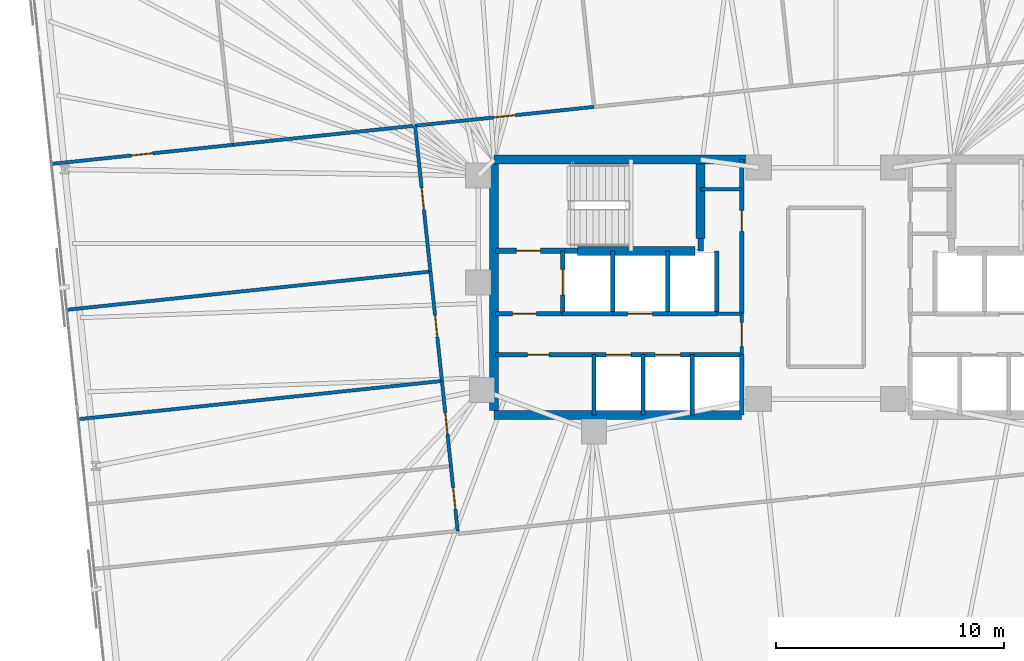
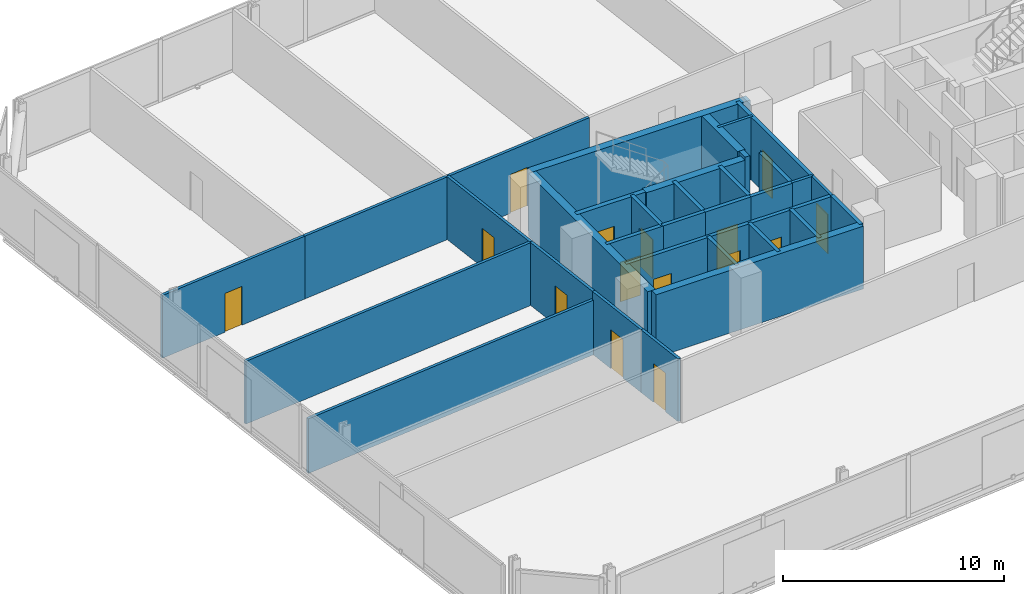
# One storey, part 14 of 18: 33 walls, 15 doors, 15 openings.
"""IFC4 building model written with IfcOpenShell, lengths in metres."""

from ifc_helpers import new_model, si_unit, direction, frame, frame_2d, origin, place, context, subcontext, project, spatial, rectangle, extrude, material, layer, layer_set, type_object, element, fill, save


model = new_model("IFC4")

# Units and contexts
model_context = context("Model", 3, precision=1e-05, world=origin(), true_north=direction((0.0, 1.0)))
body_context = subcontext(model_context, "Body", "Model", "MODEL_VIEW")
ifc_project = project(units=[si_unit("LENGTHUNIT", "METRE"), si_unit("AREAUNIT", "SQUARE_METRE"), si_unit("VOLUMEUNIT", "CUBIC_METRE"), si_unit("PLANEANGLEUNIT", "RADIAN"), si_unit("MASSUNIT", "GRAM", prefix="KILO")], contexts=[model_context])

# Site, building, storey
site_placement = place(None, origin())
site = spatial("IfcSite", under=ifc_project, at=site_placement, CompositionType="ELEMENT")
building_placement = place(site_placement, origin())
building = spatial("IfcBuilding", under=site, at=building_placement, Name="Menara Jurai Vektor", CompositionType="ELEMENT")
storey_placement = place(building_placement, frame((0.0, 0.0, 105.89990234375)))
storey = spatial("IfcBuildingStorey", under=building, at=storey_placement, Name="L26", CompositionType="ELEMENT", Elevation=105.89990234375)

# Wall, opening, door
ifc_material_1 = material(Name="Concrete C40/50", Category="concrete")
ifc_layer_1 = layer(ifc_material_1, 0.25)
ifc_layer_set_1 = layer_set([ifc_layer_1], Name="Concrete C40/50")
wall_type_1 = type_object("IfcWallType", Name="INT-WALL-CORE-250", PredefinedType="STANDARD", material=ifc_layer_set_1)
wall_1_placement = place(storey_placement, frame((-14.5, 1.60009765625, 0.0), z_axis=(0.0, 0.0, 1.0), x_axis=(1.0, 0.0, 0.0)))
wall_1 = element("IfcWall", 1, at=wall_1_placement, inside=storey, type_object=wall_type_1, Name="Interior Wall IW-250 L26", PredefinedType="STANDARD", context=body_context, shape_type="SweptSolid", body=[
    extrude(rectangle(XDim=3.60009765625, YDim=0.25, at=frame_2d((1.800048828125, 0.0))), origin(), (0.0, 0.0, 1.0), 3.47509765625),
])
opening_1_placement = place(wall_1_placement, frame((0.919921875, 0.0, 0.0)))
opening_1 = element("IfcOpeningElement", 2, at=opening_1_placement, cuts=wall_1, Name="Opening D-L26-ST1", PredefinedType="OPENING", context=body_context, shape_type="SweptSolid", body=[
    extrude(rectangle(XDim=1.050048828125, YDim=2.14990234375, at=frame_2d((0.52490234375, 1.074951171875))), frame((0.0, 0.135009765625, 0.0), z_axis=(0.0, -1.0, 0.0), x_axis=(1.0, 0.0, 0.0)), (0.0, 0.0, 1.0), 0.27001953125),
])
ifc_material_2 = material(Name="Fire-Rated Steel Door", Category="steel")
door_type_1 = type_object("IfcDoorType", Name="DR-STAIR-1050", OperationType="NOTDEFINED", PredefinedType="DOOR", material=ifc_material_2)
door_1_placement = place(opening_1_placement, origin())
door_1 = element("IfcDoor", 3, at=door_1_placement, inside=storey, type_object=door_type_1, Name="Exit Stair ST1 Door L26", OperationType="SINGLE_SWING_RIGHT", OverallHeight=2.14990234375, OverallWidth=1.050048828125, PredefinedType="DOOR", context=body_context, shape_type="SweptSolid", body=[
    extrude(rectangle(XDim=1.050048828125, YDim=2.14990234375, at=frame_2d((0.52490234375, 1.074951171875))), frame((0.0, 0.02490234375, 0.0), z_axis=(0.0, -1.0, 0.0), x_axis=(1.0, 0.0, 0.0)), (0.0, 0.0, 1.0), 0.050048828125),
])
fill(opening_1, door_1)

# Wall
wall_2_placement = place(storey_placement, frame((-5.5, 1.60009765625, 0.0), z_axis=(0.0, 0.0, 1.0), x_axis=(0.0, 1.0, 0.0)))
element("IfcWall", 4, at=wall_2_placement, inside=storey, type_object=wall_type_1, Name="Interior Wall IW-250 L26", PredefinedType="STANDARD", context=body_context, shape_type="SweptSolid", body=[
    extrude(rectangle(XDim=0.5498046875, YDim=0.25, at=frame_2d((0.27490234375, 0.0))), origin(), (0.0, 0.0, 1.0), 3.47509765625),
])

# Wall, opening, door
wall_3_placement = place(storey_placement, frame((-11.550048828125, -1.14990234375, 0.0), z_axis=(0.0, 0.0, 1.0), x_axis=(0.0, 1.0, 0.0)))
wall_3 = element("IfcWall", 5, at=wall_3_placement, inside=storey, type_object=wall_type_1, Name="Interior Wall IW-250 L26", PredefinedType="STANDARD", context=body_context, shape_type="SweptSolid", body=[
    extrude(rectangle(XDim=2.75, YDim=0.199951171875, at=frame_2d((1.375, 0.0))), origin(), (0.0, 0.0, 1.0), 3.47509765625),
])
opening_2_placement = place(wall_3_placement, frame((0.824951171875, 0.0, 0.0)))
opening_2 = element("IfcOpeningElement", 6, at=opening_2_placement, cuts=wall_3, Name="Opening LD-L26-FL1", PredefinedType="OPENING", context=body_context, shape_type="SweptSolid", body=[
    extrude(rectangle(XDim=1.10009765625, YDim=2.14990234375, at=frame_2d((0.550048828125, 1.074951171875))), frame((0.0, 0.10986328125, 0.0), z_axis=(0.0, -1.0, 0.0), x_axis=(1.0, 0.0, 0.0)), (0.0, 0.0, 1.0), 0.219970703125),
])
ifc_material_3 = material(Name="Stainless Steel Sliding Lift Landing Door", Category="steel")
door_type_2 = type_object("IfcDoorType", Name="DR-LIFT-FIRE-1100", OperationType="NOTDEFINED", PredefinedType="DOOR", material=ifc_material_3)
door_2_placement = place(opening_2_placement, origin())
door_2 = element("IfcDoor", 7, at=door_2_placement, inside=storey, type_object=door_type_2, Name="Lift Landing Door FL1 L26", OperationType="SLIDING_TO_RIGHT", OverallHeight=2.14990234375, OverallWidth=1.10009765625, PredefinedType="DOOR", context=body_context, shape_type="SweptSolid", body=[
    extrude(rectangle(XDim=1.10009765625, YDim=2.14990234375, at=frame_2d((0.550048828125, 1.074951171875))), frame((0.0, 0.02490234375, 0.0), z_axis=(0.0, -1.0, 0.0), x_axis=(1.0, 0.0, 0.0)), (0.0, 0.0, 1.0), 0.050048828125),
])
fill(opening_2, door_2)

# Wall
wall_4_placement = place(storey_placement, frame((-9.35009765625, -1.14990234375, 0.0), z_axis=(0.0, 0.0, 1.0), x_axis=(0.0, 1.0, 0.0)))
element("IfcWall", 8, at=wall_4_placement, inside=storey, type_object=wall_type_1, Name="Interior Wall IW-250 L26", PredefinedType="STANDARD", context=body_context, shape_type="SweptSolid", body=[
    extrude(rectangle(XDim=2.75, YDim=0.199951171875, at=frame_2d((1.375, 0.0))), origin(), (0.0, 0.0, 1.0), 3.47509765625),
])

# Wall, opening, door
wall_5_placement = place(storey_placement, frame((-14.5, -1.14990234375, 0.0), z_axis=(0.0, 0.0, 1.0), x_axis=(1.0, 0.0, 0.0)))
wall_5 = element("IfcWall", 9, at=wall_5_placement, inside=storey, type_object=wall_type_1, Name="Interior Wall IW-250 L26", PredefinedType="STANDARD", context=body_context, shape_type="SweptSolid", body=[
    extrude(rectangle(XDim=2.949951171875, YDim=0.199951171875, at=frame_2d((1.47509765625, 0.0))), origin(), (0.0, 0.0, 1.0), 3.47509765625),
])
opening_3_placement = place(wall_5_placement, frame((0.75, 0.0, 0.0)))
opening_3 = element("IfcOpeningElement", 10, at=opening_3_placement, cuts=wall_5, Name="Opening D-L26-FFW", PredefinedType="OPENING", context=body_context, shape_type="SweptSolid", body=[
    extrude(rectangle(XDim=1.050048828125, YDim=2.179931640625, at=frame_2d((0.52490234375, 1.08984375))), frame((0.0, 0.10986328125, 0.0), z_axis=(0.0, -1.0, 0.0), x_axis=(1.0, 0.0, 0.0)), (0.0, 0.0, 1.0), 0.219970703125),
])
ifc_material_4 = material(Name="Fire-Rated Timber Door", Category="wood")
door_type_3 = type_object("IfcDoorType", Name="DR-LOBBY-1050", OperationType="NOTDEFINED", PredefinedType="DOOR", material=ifc_material_4)
door_3_placement = place(opening_3_placement, origin())
door_3 = element("IfcDoor", 11, at=door_3_placement, inside=storey, type_object=door_type_3, Name="Fire Lift Lobby Door W L26", OperationType="SINGLE_SWING_RIGHT", OverallHeight=2.179931640625, OverallWidth=1.050048828125, PredefinedType="DOOR", context=body_context, shape_type="SweptSolid", body=[
    extrude(rectangle(XDim=1.050048828125, YDim=2.179931640625, at=frame_2d((0.52490234375, 1.08984375))), frame((0.0, 0.02490234375, 0.0), z_axis=(0.0, -1.0, 0.0), x_axis=(1.0, 0.0, 0.0)), (0.0, 0.0, 1.0), 0.050048828125),
])
fill(opening_3, door_3)

# Wall
wall_6_placement = place(storey_placement, frame((-11.550048828125, -1.14990234375, 0.0), z_axis=(0.0, 0.0, 1.0), x_axis=(1.0, 0.0, 0.0)))
element("IfcWall", 12, at=wall_6_placement, inside=storey, type_object=wall_type_1, Name="Interior Wall IW-250 L26", PredefinedType="STANDARD", context=body_context, shape_type="SweptSolid", body=[
    extrude(rectangle(XDim=2.199951171875, YDim=0.199951171875, at=frame_2d((1.10009765625, 0.0))), origin(), (0.0, 0.0, 1.0), 3.47509765625),
])

# Wall, opening, door
ifc_material_5 = material(Name="Gypsum Fireboard Partition", Category="gypsum")
ifc_layer_2 = layer(ifc_material_5, 0.14990234375)
ifc_layer_set_2 = layer_set([ifc_layer_2], Name="Gypsum Fireboard Partition")
wall_type_2 = type_object("IfcWallType", Name="INT-WALL-CORR-150", PredefinedType="PARTITIONING", material=ifc_layer_set_2)
wall_7_placement = place(storey_placement, frame((-3.699951171875, -2.949951171875, 0.0), z_axis=(0.0, 0.0, 1.0), x_axis=(0.0, 1.0, 0.0)))
wall_7 = element("IfcWall", 13, at=wall_7_placement, inside=storey, type_object=wall_type_2, Name="Interior Wall IW-150 L26", PredefinedType="PARTITIONING", context=body_context, shape_type="SweptSolid", body=[
    extrude(rectangle(XDim=1.800048828125, YDim=0.14990234375, at=frame_2d((0.89990234375, 0.0))), origin(), (0.0, 0.0, 1.0), 3.47509765625),
])
opening_4_placement = place(wall_7_placement, frame((0.35009765625, 0.0, 0.0)))
opening_4 = element("IfcOpeningElement", 14, at=opening_4_placement, cuts=wall_7, Name="Opening D-L26-LLW", PredefinedType="OPENING", context=body_context, shape_type="SweptSolid", body=[
    extrude(rectangle(XDim=1.050048828125, YDim=2.179931640625, at=frame_2d((0.52490234375, 1.08984375))), frame((0.0, 0.0849609375, 0.0), z_axis=(0.0, -1.0, 0.0), x_axis=(1.0, 0.0, 0.0)), (0.0, 0.0, 1.0), 0.169921875),
])
door_4_placement = place(opening_4_placement, origin())
door_4 = element("IfcDoor", 15, at=door_4_placement, inside=storey, type_object=door_type_3, Name="Lift Lobby Corridor Door W L26", OperationType="SINGLE_SWING_LEFT", OverallHeight=2.179931640625, OverallWidth=1.050048828125, PredefinedType="DOOR", context=body_context, shape_type="SweptSolid", body=[
    extrude(rectangle(XDim=1.050048828125, YDim=2.179931640625, at=frame_2d((0.52490234375, 1.08984375))), frame((0.0, 0.02490234375, 0.0), z_axis=(0.0, -1.0, 0.0), x_axis=(1.0, 0.0, 0.0)), (0.0, 0.0, 1.0), 0.050048828125),
])
fill(opening_4, door_4)

# Walls
wall_8_placement = place(storey_placement, frame((-4.7900390625, -1.14990234375, 0.0), z_axis=(0.0, 0.0, 1.0), x_axis=(1.0, 0.0, 0.0)))
element("IfcWall", 16, at=wall_8_placement, inside=storey, type_object=wall_type_2, Name="Interior Wall IW-150 L26", PredefinedType="PARTITIONING", context=body_context, shape_type="SweptSolid", body=[
    extrude(rectangle(XDim=1.090087890625, YDim=0.14990234375, at=frame_2d((0.544921875, 0.0))), origin(), (0.0, 0.0, 1.0), 3.47509765625),
])
wall_9_placement = place(storey_placement, frame((-5.5, 4.300048828125, 0.0), z_axis=(0.0, 0.0, 1.0), x_axis=(1.0, 0.0, 0.0)))
element("IfcWall", 17, at=wall_9_placement, inside=storey, type_object=wall_type_2, Name="Interior Wall IW-150 L26", PredefinedType="PARTITIONING", context=body_context, shape_type="SweptSolid", body=[
    extrude(rectangle(XDim=1.800048828125, YDim=0.14990234375, at=frame_2d((0.89990234375, 0.0))), origin(), (0.0, 0.0, 1.0), 3.47509765625),
])

# Wall, opening, door
wall_10_placement = place(storey_placement, frame((-18.021240234375, 7.09033203125, 0.0), z_axis=(0.0, 0.0, 1.0), x_axis=(0.994521544681, 0.104531799785, 0.0)))
wall_10 = element("IfcWall", 18, at=wall_10_placement, inside=storey, type_object=wall_type_2, Name="Interior Wall IW-150 L26", PredefinedType="PARTITIONING", context=body_context, shape_type="SweptSolid", body=[
    extrude(rectangle(XDim=7.891845703125, YDim=0.14990234375, at=frame_2d((3.94580078125, 0.0))), origin(), (0.0, 0.0, 1.0), 3.47509765625),
])
opening_5_placement = place(wall_10_placement, frame((3.470947265625, 0.0, 0.0)))
opening_5 = element("IfcOpeningElement", 19, at=opening_5_placement, cuts=wall_10, Name="Opening D26-07", PredefinedType="OPENING", context=body_context, shape_type="SweptSolid", body=[
    extrude(rectangle(XDim=0.949951171875, YDim=2.14990234375, at=frame_2d((0.47509765625, 1.074951171875))), frame((0.0, 0.0849609375, 0.0), z_axis=(0.0, -1.0, 0.0), x_axis=(1.0, 0.0, 0.0)), (0.0, 0.0, 1.0), 0.169921875),
])
ifc_material_6 = material(Name="Solid Core Timber Fire Door", Category="wood")
door_type_4 = type_object("IfcDoorType", Name="DR-ENTRY-950", OperationType="NOTDEFINED", PredefinedType="DOOR", material=ifc_material_6)
door_5_placement = place(opening_5_placement, origin())
door_5 = element("IfcDoor", 20, at=door_5_placement, inside=storey, type_object=door_type_4, Name="Interior Door D26-07", OperationType="SINGLE_SWING_RIGHT", OverallHeight=2.14990234375, OverallWidth=0.949951171875, PredefinedType="DOOR", context=body_context, shape_type="SweptSolid", body=[
    extrude(rectangle(XDim=0.949951171875, YDim=2.14990234375, at=frame_2d((0.47509765625, 1.074951171875))), frame((0.0, 0.02490234375, 0.0), z_axis=(0.0, -1.0, 0.0), x_axis=(1.0, 0.0, 0.0)), (0.0, 0.0, 1.0), 0.050048828125),
])
fill(opening_5, door_5)

wall_11_placement = place(storey_placement, frame((-16.1533203125, -10.681884765625, 0.0), z_axis=(0.0, 0.0, 1.0), x_axis=(-0.104600331874, 0.994514339048, 0.0)))
wall_11 = element("IfcWall", 21, at=wall_11_placement, inside=storey, type_object=wall_type_2, Name="Interior Wall IW-150 L26", PredefinedType="PARTITIONING", context=body_context, shape_type="SweptSolid", body=[
    extrude(rectangle(XDim=2.859130859375, YDim=0.14990234375, at=frame_2d((1.4296875, 0.0))), origin(), (0.0, 0.0, 1.0), 3.47509765625),
])
opening_6_placement = place(wall_11_placement, frame((0.95458984375, 0.0, 0.0)))
opening_6 = element("IfcOpeningElement", 22, at=opening_6_placement, cuts=wall_11, Name="Opening D26-13", PredefinedType="OPENING", context=body_context, shape_type="SweptSolid", body=[
    extrude(rectangle(XDim=0.949951171875, YDim=2.14990234375, at=frame_2d((0.47509765625, 1.074951171875))), frame((0.0, 0.0849609375, 0.0), z_axis=(0.0, -1.0, 0.0), x_axis=(1.0, 0.0, 0.0)), (0.0, 0.0, 1.0), 0.169921875),
])
door_6_placement = place(opening_6_placement, origin())
door_6 = element("IfcDoor", 23, at=door_6_placement, inside=storey, type_object=door_type_4, Name="Interior Door D26-13", OperationType="SINGLE_SWING_RIGHT", OverallHeight=2.14990234375, OverallWidth=0.949951171875, PredefinedType="DOOR", context=body_context, shape_type="SweptSolid", body=[
    extrude(rectangle(XDim=0.949951171875, YDim=2.14990234375, at=frame_2d((0.47509765625, 1.074951171875))), frame((0.0, 0.02490234375, 0.0), z_axis=(0.0, -1.0, 0.0), x_axis=(1.0, 0.0, 0.0)), (0.0, 0.0, 1.0), 0.050048828125),
])
fill(opening_6, door_6)

wall_12_placement = place(storey_placement, frame((-16.452392578125, -7.83837890625, 0.0), z_axis=(0.0, 0.0, 1.0), x_axis=(-0.104481590513, 0.994526820777, 0.0)))
wall_12 = element("IfcWall", 24, at=wall_12_placement, inside=storey, type_object=wall_type_2, Name="Interior Wall IW-150 L26", PredefinedType="PARTITIONING", context=body_context, shape_type="SweptSolid", body=[
    extrude(rectangle(XDim=3.752685546875, YDim=0.14990234375, at=frame_2d((1.87646484375, 0.0))), origin(), (0.0, 0.0, 1.0), 3.47509765625),
])
opening_7_placement = place(wall_12_placement, frame((1.401611328125, 0.0, 0.0)))
opening_7 = element("IfcOpeningElement", 25, at=opening_7_placement, cuts=wall_12, Name="Opening D26-14", PredefinedType="OPENING", context=body_context, shape_type="SweptSolid", body=[
    extrude(rectangle(XDim=0.949951171875, YDim=2.14990234375, at=frame_2d((0.47509765625, 1.074951171875))), frame((0.0, 0.0849609375, 0.0), z_axis=(0.0, -1.0, 0.0), x_axis=(1.0, 0.0, 0.0)), (0.0, 0.0, 1.0), 0.169921875),
])
door_7_placement = place(opening_7_placement, origin())
door_7 = element("IfcDoor", 26, at=door_7_placement, inside=storey, type_object=door_type_4, Name="Interior Door D26-14", OperationType="SINGLE_SWING_LEFT", OverallHeight=2.14990234375, OverallWidth=0.949951171875, PredefinedType="DOOR", context=body_context, shape_type="SweptSolid", body=[
    extrude(rectangle(XDim=0.949951171875, YDim=2.14990234375, at=frame_2d((0.47509765625, 1.074951171875))), frame((0.0, 0.02490234375, 0.0), z_axis=(0.0, -1.0, 0.0), x_axis=(1.0, 0.0, 0.0)), (0.0, 0.0, 1.0), 0.050048828125),
])
fill(opening_7, door_7)

wall_13_placement = place(storey_placement, frame((-16.844482421875, -4.106201171875, 0.0), z_axis=(0.0, 0.0, 1.0), x_axis=(-0.104537284168, 0.994520968215, 0.0)))
wall_13 = element("IfcWall", 27, at=wall_13_placement, inside=storey, type_object=wall_type_2, Name="Interior Wall IW-150 L26", PredefinedType="PARTITIONING", context=body_context, shape_type="SweptSolid", body=[
    extrude(rectangle(XDim=4.824951171875, YDim=0.14990234375, at=frame_2d((2.41259765625, 0.0))), origin(), (0.0, 0.0, 1.0), 3.47509765625),
])
opening_8_placement = place(wall_13_placement, frame((1.9375, 0.0, 0.0)))
opening_8 = element("IfcOpeningElement", 28, at=opening_8_placement, cuts=wall_13, Name="Opening D26-15", PredefinedType="OPENING", context=body_context, shape_type="SweptSolid", body=[
    extrude(rectangle(XDim=0.949951171875, YDim=2.14990234375, at=frame_2d((0.47509765625, 1.074951171875))), frame((0.0, 0.0849609375, 0.0), z_axis=(0.0, -1.0, 0.0), x_axis=(1.0, 0.0, 0.0)), (0.0, 0.0, 1.0), 0.169921875),
])
door_8_placement = place(opening_8_placement, origin())
door_8 = element("IfcDoor", 29, at=door_8_placement, inside=storey, type_object=door_type_4, Name="Interior Door D26-15", OperationType="SINGLE_SWING_RIGHT", OverallHeight=2.14990234375, OverallWidth=0.949951171875, PredefinedType="DOOR", context=body_context, shape_type="SweptSolid", body=[
    extrude(rectangle(XDim=0.949951171875, YDim=2.14990234375, at=frame_2d((0.47509765625, 1.074951171875))), frame((0.0, 0.02490234375, 0.0), z_axis=(0.0, -1.0, 0.0), x_axis=(1.0, 0.0, 0.0)), (0.0, 0.0, 1.0), 0.050048828125),
])
fill(opening_8, door_8)

wall_14_placement = place(storey_placement, frame((-17.348876953125, 0.6923828125, 0.0), z_axis=(0.0, 0.0, 1.0), x_axis=(-0.104514890797, 0.994523321799, 0.0)))
wall_14 = element("IfcWall", 30, at=wall_14_placement, inside=storey, type_object=wall_type_2, Name="Interior Wall IW-150 L26", PredefinedType="PARTITIONING", context=body_context, shape_type="SweptSolid", body=[
    extrude(rectangle(XDim=6.43310546875, YDim=0.14990234375, at=frame_2d((3.216552734375, 0.0))), origin(), (0.0, 0.0, 1.0), 3.47509765625),
])
opening_9_placement = place(wall_14_placement, frame((2.741455078125, 0.0, 0.0)))
opening_9 = element("IfcOpeningElement", 31, at=opening_9_placement, cuts=wall_14, Name="Opening D26-16", PredefinedType="OPENING", context=body_context, shape_type="SweptSolid", body=[
    extrude(rectangle(XDim=0.949951171875, YDim=2.14990234375, at=frame_2d((0.47509765625, 1.074951171875))), frame((0.0, 0.0849609375, 0.0), z_axis=(0.0, -1.0, 0.0), x_axis=(1.0, 0.0, 0.0)), (0.0, 0.0, 1.0), 0.169921875),
])
door_9_placement = place(opening_9_placement, origin())
door_9 = element("IfcDoor", 32, at=door_9_placement, inside=storey, type_object=door_type_4, Name="Interior Door D26-16", OperationType="SINGLE_SWING_LEFT", OverallHeight=2.14990234375, OverallWidth=0.949951171875, PredefinedType="DOOR", context=body_context, shape_type="SweptSolid", body=[
    extrude(rectangle(XDim=0.949951171875, YDim=2.14990234375, at=frame_2d((0.47509765625, 1.074951171875))), frame((0.0, 0.02490234375, 0.0), z_axis=(0.0, -1.0, 0.0), x_axis=(1.0, 0.0, 0.0)), (0.0, 0.0, 1.0), 0.050048828125),
])
fill(opening_9, door_9)

wall_15_placement = place(storey_placement, frame((-33.966552734375, 5.414306640625, 0.0), z_axis=(0.0, 0.0, 1.0), x_axis=(0.994520371826, 0.104542957792, 0.0)))
wall_15 = element("IfcWall", 33, at=wall_15_placement, inside=storey, type_object=wall_type_2, Name="Interior Wall IW-150 L26", PredefinedType="PARTITIONING", context=body_context, shape_type="SweptSolid", body=[
    extrude(rectangle(XDim=7.97509765625, YDim=0.14990234375, at=frame_2d((3.987548828125, 0.0))), origin(), (0.0, 0.0, 1.0), 3.47509765625),
])
opening_10_placement = place(wall_15_placement, frame((3.512451171875, 0.0, 0.0)))
opening_10 = element("IfcOpeningElement", 34, at=opening_10_placement, cuts=wall_15, Name="Opening D26-19", PredefinedType="OPENING", context=body_context, shape_type="SweptSolid", body=[
    extrude(rectangle(XDim=0.949951171875, YDim=2.14990234375, at=frame_2d((0.47509765625, 1.074951171875))), frame((0.0, 0.0849609375, 0.0), z_axis=(0.0, -1.0, 0.0), x_axis=(1.0, 0.0, 0.0)), (0.0, 0.0, 1.0), 0.169921875),
])
door_10_placement = place(opening_10_placement, origin())
door_10 = element("IfcDoor", 35, at=door_10_placement, inside=storey, type_object=door_type_4, Name="Interior Door D26-19", OperationType="SINGLE_SWING_RIGHT", OverallHeight=2.14990234375, OverallWidth=0.949951171875, PredefinedType="DOOR", context=body_context, shape_type="SweptSolid", body=[
    extrude(rectangle(XDim=0.949951171875, YDim=2.14990234375, at=frame_2d((0.47509765625, 1.074951171875))), frame((0.0, 0.02490234375, 0.0), z_axis=(0.0, -1.0, 0.0), x_axis=(1.0, 0.0, 0.0)), (0.0, 0.0, 1.0), 0.050048828125),
])
fill(opening_10, door_10)

# Walls
wall_16_placement = place(storey_placement, frame((-26.03515625, 6.248046875, 0.0), z_axis=(0.0, 0.0, 1.0), x_axis=(0.994523219801, 0.104515861368, 0.0)))
element("IfcWall", 36, at=wall_16_placement, inside=storey, type_object=wall_type_2, Name="Interior Wall IW-150 L26", PredefinedType="PARTITIONING", context=body_context, shape_type="SweptSolid", body=[
    extrude(rectangle(XDim=7.974853515625, YDim=0.14990234375, at=frame_2d((3.9873046875, 0.0))), origin(), (0.0, 0.0, 1.0), 3.47509765625),
])
wall_17_placement = place(storey_placement, frame((-33.294189453125, -0.9833984375, 0.0), z_axis=(0.0, 0.0, 1.0), x_axis=(0.994522794159, 0.104519911488, 0.0)))
element("IfcWall", 37, at=wall_17_placement, inside=storey, type_object=wall_type_2, Name="Interior Wall IW-150 L26", PredefinedType="PARTITIONING", context=body_context, shape_type="SweptSolid", body=[
    extrude(rectangle(XDim=16.033203125, YDim=0.14990234375, at=frame_2d((8.0166015625, 0.0))), origin(), (0.0, 0.0, 1.0), 3.47509765625),
])
ifc_layer_3 = layer(ifc_material_5, 0.14990234375)
ifc_layer_set_3 = layer_set([ifc_layer_3], Name="Gypsum Fireboard Partition")
wall_type_3 = type_object("IfcWallType", Name="INT-WALL-CORR-150-H1", PredefinedType="PARTITIONING", material=ifc_layer_set_3)
wall_18_placement = place(storey_placement, frame((-32.789794921875, -5.781982421875, 0.0), z_axis=(0.0, 0.0, 1.0), x_axis=(0.994522794159, 0.104519911488, 0.0)))
element("IfcWall", 38, at=wall_18_placement, inside=storey, type_object=wall_type_3, Name="Interior Wall IW-150 L26", PredefinedType="PARTITIONING", context=body_context, shape_type="SweptSolid", body=[
    extrude(rectangle(XDim=16.033203125, YDim=0.14990234375, at=frame_2d((8.0166015625, 0.0))), origin(), (0.0, 0.0, 1.0), 3.025146484375),
])

# Wall, opening, door
ifc_layer_4 = layer(ifc_material_1, 0.199951171875)
ifc_layer_set_4 = layer_set([ifc_layer_4], Name="Concrete C40/50")
wall_type_4 = type_object("IfcWallType", Name="INT-WALL-SHAFT-200", PredefinedType="STANDARD", material=ifc_layer_set_4)
wall_19_placement = place(storey_placement, frame((-3.699951171875, -1.14990234375, 0.0), z_axis=(0.0, 0.0, 1.0), x_axis=(0.0, 1.0, 0.0)))
wall_19 = element("IfcWall", 39, at=wall_19_placement, inside=storey, type_object=wall_type_4, Name="Interior Wall IW-200 L26", PredefinedType="STANDARD", context=body_context, shape_type="SweptSolid", body=[
    extrude(rectangle(XDim=6.75, YDim=0.199951171875, at=frame_2d((3.375, 0.0))), origin(), (0.0, 0.0, 1.0), 3.47509765625),
])
opening_11_placement = place(wall_19_placement, frame((3.60009765625, 0.0, 0.0)))
opening_11 = element("IfcOpeningElement", 40, at=opening_11_placement, cuts=wall_19, Name="Opening D26-02", PredefinedType="OPENING", context=body_context, shape_type="SweptSolid", body=[
    extrude(rectangle(XDim=0.919921875, YDim=2.14990234375, at=frame_2d((0.4599609375, 1.074951171875))), frame((0.0, 0.10986328125, 0.0), z_axis=(0.0, -1.0, 0.0), x_axis=(1.0, 0.0, 0.0)), (0.0, 0.0, 1.0), 0.219970703125),
])
door_11_placement = place(opening_11_placement, origin())
door_11 = element("IfcDoor", 41, at=door_11_placement, inside=storey, type_object=door_type_4, Name="Interior Door D26-02", OperationType="SINGLE_SWING_LEFT", OverallHeight=2.14990234375, OverallWidth=0.919921875, PredefinedType="DOOR", context=body_context, shape_type="SweptSolid", body=[
    extrude(rectangle(XDim=0.919921875, YDim=2.14990234375, at=frame_2d((0.4599609375, 1.074951171875))), frame((0.0, 0.02490234375, 0.0), z_axis=(0.0, -1.0, 0.0), x_axis=(1.0, 0.0, 0.0)), (0.0, 0.0, 1.0), 0.050048828125),
])
fill(opening_11, door_11)

# Walls
wall_20_placement = place(storey_placement, frame((-3.699951171875, -5.60009765625, 0.0), z_axis=(0.0, 0.0, 1.0), x_axis=(0.0, 1.0, 0.0)))
element("IfcWall", 42, at=wall_20_placement, inside=storey, type_object=wall_type_4, Name="Interior Wall IW-200 L26", PredefinedType="STANDARD", context=body_context, shape_type="SweptSolid", body=[
    extrude(rectangle(XDim=2.650146484375, YDim=0.199951171875, at=frame_2d((1.3251953125, 0.0))), origin(), (0.0, 0.0, 1.0), 3.47509765625),
])
wall_21_placement = place(storey_placement, frame((-6.949951171875, -1.14990234375, 0.0), z_axis=(0.0, 0.0, 1.0), x_axis=(0.0, 1.0, 0.0)))
element("IfcWall", 43, at=wall_21_placement, inside=storey, type_object=wall_type_4, Name="Interior Wall IW-200 L26", PredefinedType="STANDARD", context=body_context, shape_type="SweptSolid", body=[
    extrude(rectangle(XDim=2.75, YDim=0.199951171875, at=frame_2d((1.375, 0.0))), origin(), (0.0, 0.0, 1.0), 3.47509765625),
])

# Wall, opening, door
wall_22_placement = place(storey_placement, frame((-9.35009765625, -1.14990234375, 0.0), z_axis=(0.0, 0.0, 1.0), x_axis=(1.0, 0.0, 0.0)))
wall_22 = element("IfcWall", 44, at=wall_22_placement, inside=storey, type_object=wall_type_4, Name="Interior Wall IW-200 L26", PredefinedType="STANDARD", context=body_context, shape_type="SweptSolid", body=[
    extrude(rectangle(XDim=2.400146484375, YDim=0.199951171875, at=frame_2d((1.2001953125, 0.0))), origin(), (0.0, 0.0, 1.0), 3.47509765625),
])
opening_12_placement = place(wall_22_placement, frame((0.64990234375, 0.0, 0.0)))
opening_12 = element("IfcOpeningElement", 45, at=opening_12_placement, cuts=wall_22, Name="Opening LD-L26-SVL1", PredefinedType="OPENING", context=body_context, shape_type="SweptSolid", body=[
    extrude(rectangle(XDim=1.10009765625, YDim=2.14990234375, at=frame_2d((0.550048828125, 1.074951171875))), frame((0.0, 0.10986328125, 0.0), z_axis=(0.0, -1.0, 0.0), x_axis=(1.0, 0.0, 0.0)), (0.0, 0.0, 1.0), 0.219970703125),
])
ifc_material_7 = material(Name="Anodised Stainless Sliding Lift Landing Door", Category="steel")
door_type_5 = type_object("IfcDoorType", Name="DR-LIFT-PASS-1100", OperationType="NOTDEFINED", PredefinedType="DOOR", material=ifc_material_7)
door_12_placement = place(opening_12_placement, origin())
door_12 = element("IfcDoor", 46, at=door_12_placement, inside=storey, type_object=door_type_5, Name="Lift Landing Door SVL1 L26", OperationType="SLIDING_TO_RIGHT", OverallHeight=2.14990234375, OverallWidth=1.10009765625, PredefinedType="DOOR", context=body_context, shape_type="SweptSolid", body=[
    extrude(rectangle(XDim=1.10009765625, YDim=2.14990234375, at=frame_2d((0.550048828125, 1.074951171875))), frame((0.0, 0.02490234375, 0.0), z_axis=(0.0, -1.0, 0.0), x_axis=(1.0, 0.0, 0.0)), (0.0, 0.0, 1.0), 0.050048828125),
])
fill(opening_12, door_12)

# Walls
wall_23_placement = place(storey_placement, frame((-4.7900390625, -1.14990234375, 0.0), z_axis=(0.0, 0.0, 1.0), x_axis=(0.0, 1.0, 0.0)))
element("IfcWall", 47, at=wall_23_placement, inside=storey, type_object=wall_type_4, Name="Interior Wall IW-200 L26", PredefinedType="STANDARD", context=body_context, shape_type="SweptSolid", body=[
    extrude(rectangle(XDim=2.75, YDim=0.199951171875, at=frame_2d((1.375, 0.0))), origin(), (0.0, 0.0, 1.0), 3.47509765625),
])
wall_24_placement = place(storey_placement, frame((-6.949951171875, -1.14990234375, 0.0), z_axis=(0.0, 0.0, 1.0), x_axis=(1.0, 0.0, 0.0)))
element("IfcWall", 48, at=wall_24_placement, inside=storey, type_object=wall_type_4, Name="Interior Wall IW-200 L26", PredefinedType="STANDARD", context=body_context, shape_type="SweptSolid", body=[
    extrude(rectangle(XDim=2.159912109375, YDim=0.199951171875, at=frame_2d((1.080078125, 0.0))), origin(), (0.0, 0.0, 1.0), 3.47509765625),
])

# Wall, openings, doors
wall_25_placement = place(storey_placement, frame((-14.5, -2.949951171875, 0.0), z_axis=(0.0, 0.0, 1.0), x_axis=(1.0, 0.0, 0.0)))
wall_25 = element("IfcWall", 49, at=wall_25_placement, inside=storey, type_object=wall_type_4, Name="Interior Wall IW-200 L26", PredefinedType="STANDARD", context=body_context, shape_type="SweptSolid", body=[
    extrude(rectangle(XDim=10.800048828125, YDim=0.199951171875, at=frame_2d((5.39990234375, 0.0))), origin(), (0.0, 0.0, 1.0), 3.47509765625),
])
opening_13_placement = place(wall_25_placement, frame((4.85009765625, 0.0, 0.0)))
opening_13 = element("IfcOpeningElement", 50, at=opening_13_placement, cuts=wall_25, Name="Opening LD-L26-PM1", PredefinedType="OPENING", context=body_context, shape_type="SweptSolid", body=[
    extrude(rectangle(XDim=1.10009765625, YDim=2.14990234375, at=frame_2d((0.550048828125, 1.074951171875))), frame((0.0, 0.10986328125, 0.0), z_axis=(0.0, -1.0, 0.0), x_axis=(1.0, 0.0, 0.0)), (0.0, 0.0, 1.0), 0.219970703125),
])
opening_14_placement = place(wall_25_placement, frame((7.010009765625, 0.0, 0.0)))
opening_14 = element("IfcOpeningElement", 51, at=opening_14_placement, cuts=wall_25, Name="Opening LD-L26-PM2", PredefinedType="OPENING", context=body_context, shape_type="SweptSolid", body=[
    extrude(rectangle(XDim=1.10009765625, YDim=2.14990234375, at=frame_2d((0.550048828125, 1.074951171875))), frame((0.0, 0.10986328125, 0.0), z_axis=(0.0, -1.0, 0.0), x_axis=(1.0, 0.0, 0.0)), (0.0, 0.0, 1.0), 0.219970703125),
])
opening_15_placement = place(wall_25_placement, frame((1.39990234375, 0.0, 0.0)))
opening_15 = element("IfcOpeningElement", 52, at=opening_15_placement, cuts=wall_25, Name="Opening D26-01", PredefinedType="OPENING", context=body_context, shape_type="SweptSolid", body=[
    extrude(rectangle(XDim=0.949951171875, YDim=2.14990234375, at=frame_2d((0.47509765625, 1.074951171875))), frame((0.0, 0.10986328125, 0.0), z_axis=(0.0, -1.0, 0.0), x_axis=(1.0, 0.0, 0.0)), (0.0, 0.0, 1.0), 0.219970703125),
])
door_13_placement = place(opening_15_placement, origin())
door_13 = element("IfcDoor", 53, at=door_13_placement, inside=storey, type_object=door_type_4, Name="Interior Door D26-01", OperationType="SINGLE_SWING_LEFT", OverallHeight=2.14990234375, OverallWidth=0.949951171875, PredefinedType="DOOR", context=body_context, shape_type="SweptSolid", body=[
    extrude(rectangle(XDim=0.949951171875, YDim=2.14990234375, at=frame_2d((0.47509765625, 1.074951171875))), frame((0.0, 0.02490234375, 0.0), z_axis=(0.0, -1.0, 0.0), x_axis=(1.0, 0.0, 0.0)), (0.0, 0.0, 1.0), 0.050048828125),
])
fill(opening_15, door_13)
door_14_placement = place(opening_13_placement, origin())
door_14 = element("IfcDoor", 54, at=door_14_placement, inside=storey, type_object=door_type_5, Name="Lift Landing Door PM1 L26", OperationType="SLIDING_TO_LEFT", OverallHeight=2.14990234375, OverallWidth=1.10009765625, PredefinedType="DOOR", context=body_context, shape_type="SweptSolid", body=[
    extrude(rectangle(XDim=1.10009765625, YDim=2.14990234375, at=frame_2d((0.550048828125, 1.074951171875))), frame((0.0, 0.02490234375, 0.0), z_axis=(0.0, -1.0, 0.0), x_axis=(1.0, 0.0, 0.0)), (0.0, 0.0, 1.0), 0.050048828125),
])
fill(opening_13, door_14)
door_15_placement = place(opening_14_placement, origin())
door_15 = element("IfcDoor", 55, at=door_15_placement, inside=storey, type_object=door_type_5, Name="Lift Landing Door PM2 L26", OperationType="SLIDING_TO_LEFT", OverallHeight=2.14990234375, OverallWidth=1.10009765625, PredefinedType="DOOR", context=body_context, shape_type="SweptSolid", body=[
    extrude(rectangle(XDim=1.10009765625, YDim=2.14990234375, at=frame_2d((0.550048828125, 1.074951171875))), frame((0.0, 0.02490234375, 0.0), z_axis=(0.0, -1.0, 0.0), x_axis=(1.0, 0.0, 0.0)), (0.0, 0.0, 1.0), 0.050048828125),
])
fill(opening_14, door_15)

# Walls
wall_26_placement = place(storey_placement, frame((-5.860107421875, -5.60009765625, 0.0), z_axis=(0.0, 0.0, 1.0), x_axis=(0.0, 1.0, 0.0)))
element("IfcWall", 56, at=wall_26_placement, inside=storey, type_object=wall_type_4, Name="Interior Wall IW-200 L26", PredefinedType="STANDARD", context=body_context, shape_type="SweptSolid", body=[
    extrude(rectangle(XDim=2.650146484375, YDim=0.199951171875, at=frame_2d((1.3251953125, 0.0))), origin(), (0.0, 0.0, 1.0), 3.47509765625),
])
for number, where, z_axis, x_axis, name in (
    (57, (-10.179931640625, -5.60009765625, 0.0), (0.0, 0.0, 1.0), (0.0, 1.0, 0.0), "Interior Wall IW-200 L26"),
    (58, (-8.02001953125, -5.60009765625, 0.0), (0.0, 0.0, 1.0), (0.0, 1.0, 0.0), "Interior Wall IW-200 L26"),
):
    element("IfcWall", number, at=place(storey_placement, frame(where, z_axis=z_axis, x_axis=x_axis)), inside=storey, type_object=wall_type_4, Name=name, PredefinedType="STANDARD", context=body_context, shape_type="SweptSolid", body=[
        extrude(rectangle(XDim=2.650146484375, YDim=0.179931640625, at=frame_2d((1.3251953125, 0.0))), origin(), (0.0, 0.0, 1.0), 3.47509765625),
    ])
ifc_material_8 = material(Name="Concrete C50/60", Category="concrete")
ifc_layer_5 = layer(ifc_material_8, 0.39990234375)
ifc_layer_set_5 = layer_set([ifc_layer_5], Name="Concrete C50/60")
wall_type_5 = type_object("IfcWallType", Name="STR-WALL-CORE400", PredefinedType="SHEAR", material=ifc_layer_set_5)
wall_27_placement = place(storey_placement, frame((-14.56005859375, 5.60009765625, 0.0), z_axis=(0.0, 0.0, 1.0), x_axis=(1.0, 0.0, 0.0)))
element("IfcWall", 59, at=wall_27_placement, inside=storey, type_object=wall_type_5, Name="Core Shear Wall CW-W-N L26", PredefinedType="SHEAR", context=body_context, shape_type="SweptSolid", body=[
    extrude(rectangle(XDim=11.41015625, YDim=0.39990234375, at=frame_2d((5.705078125, 0.0))), origin(), (0.0, 0.0, 1.0), 3.47509765625),
])
wall_28_placement = place(storey_placement, frame((-14.56005859375, -5.60009765625, 0.0), z_axis=(0.0, 0.0, 1.0), x_axis=(1.0, 0.0, 0.0)))
element("IfcWall", 60, at=wall_28_placement, inside=storey, type_object=wall_type_5, Name="Core Shear Wall CW-W-S L26", PredefinedType="SHEAR", context=body_context, shape_type="SweptSolid", body=[
    extrude(rectangle(XDim=10.860107421875, YDim=0.39990234375, at=frame_2d((5.43017578125, 0.0))), origin(), (0.0, 0.0, 1.0), 3.47509765625),
])
wall_29_placement = place(storey_placement, frame((-14.56005859375, -5.39990234375, 0.0), z_axis=(0.0, 0.0, 1.0), x_axis=(0.0, 1.0, 0.0)))
element("IfcWall", 61, at=wall_29_placement, inside=storey, type_object=wall_type_5, Name="Core Shear Wall CW-W-W L26", PredefinedType="SHEAR", context=body_context, shape_type="SweptSolid", body=[
    extrude(rectangle(XDim=10.7998046875, YDim=0.39990234375, at=frame_2d((5.39990234375, 0.0))), origin(), (0.0, 0.0, 1.0), 3.47509765625),
])
wall_30_placement = place(storey_placement, frame((-5.5, 2.14990234375, 0.0), z_axis=(0.0, 0.0, 1.0), x_axis=(0.0, 1.0, 0.0)))
element("IfcWall", 62, at=wall_30_placement, inside=storey, type_object=wall_type_5, Name="Core Shear Wall CW-W-ST L26", PredefinedType="SHEAR", context=body_context, shape_type="SweptSolid", body=[
    extrude(rectangle(XDim=3.25, YDim=0.39990234375, at=frame_2d((1.625, 0.0))), origin(), (0.0, 0.0, 1.0), 3.47509765625),
])
wall_31_placement = place(storey_placement, frame((-10.89990234375, 1.60009765625, 0.0), z_axis=(0.0, 0.0, 1.0), x_axis=(1.0, 0.0, 0.0)))
element("IfcWall", 63, at=wall_31_placement, inside=storey, type_object=wall_type_5, Name="Core Shear Wall CW-W-STS L26", PredefinedType="SHEAR", context=body_context, shape_type="SweptSolid", body=[
    extrude(rectangle(XDim=5.14990234375, YDim=0.39990234375, at=frame_2d((2.574951171875, 0.0))), origin(), (0.0, 0.0, 1.0), 3.47509765625),
])

save(model, "model.ifc")
